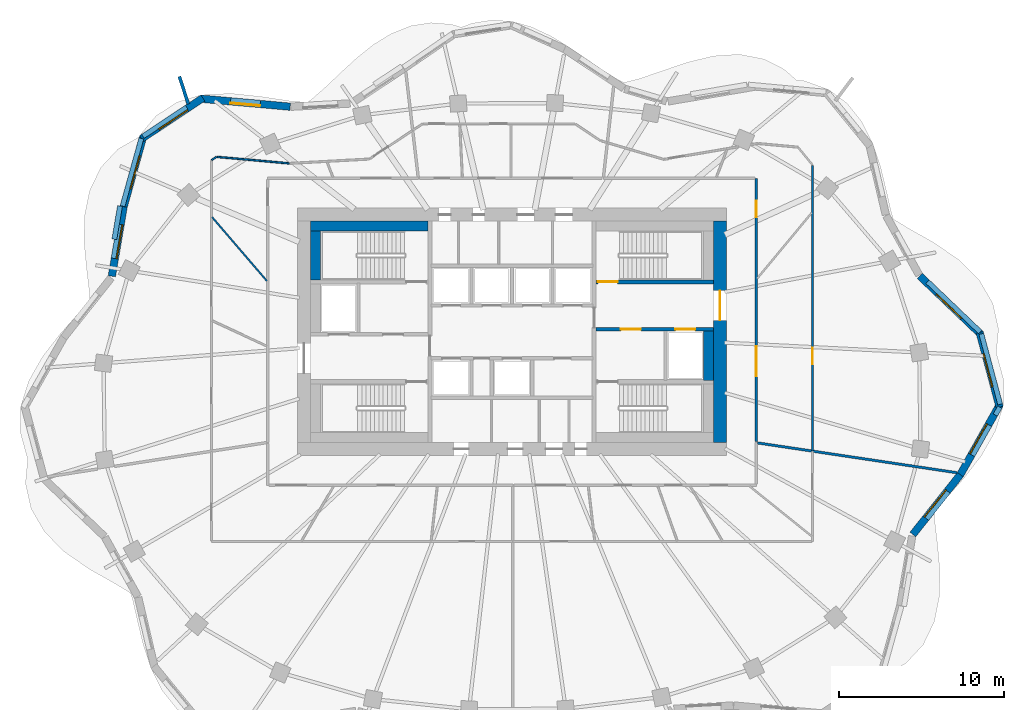
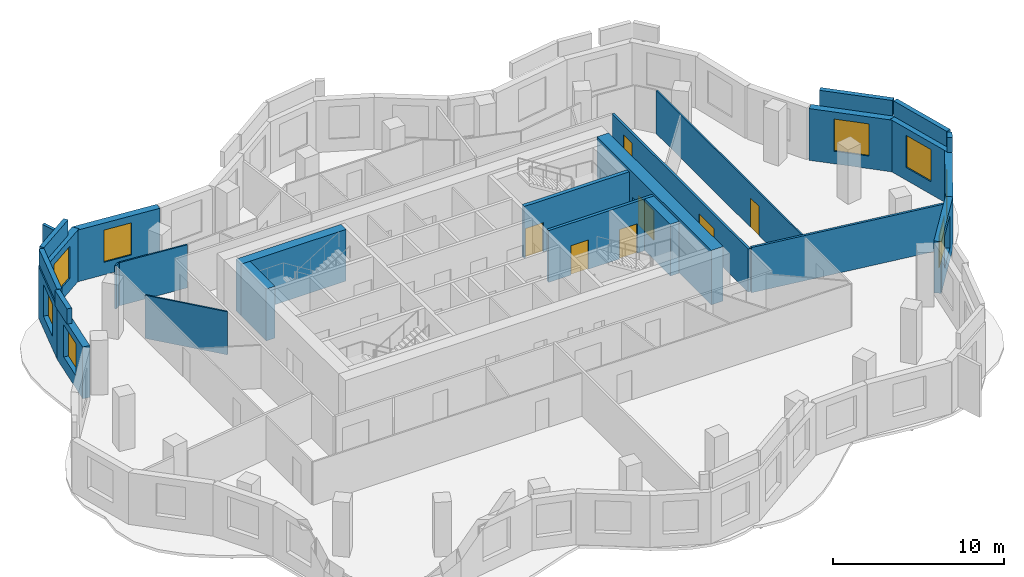
# One storey, part 6 of 9: 27 walls, 8 windows, 7 doors, 15 openings.
"""IFC4 building model written with IfcOpenShell, lengths in metres."""

from ifc_helpers import new_model, si_unit, direction, frame, frame_2d, origin, place, context, subcontext, project, spatial, rectangle, extrude, material, layer, layer_set, type_object, element, fill, save


model = new_model("IFC4")

# Units and contexts
model_context = context("Model", 3, precision=1e-05, world=origin(), true_north=direction((0.0, 1.0)))
body_context = subcontext(model_context, "Body", "Model", "MODEL_VIEW")
ifc_project = project(units=[si_unit("LENGTHUNIT", "METRE"), si_unit("AREAUNIT", "SQUARE_METRE"), si_unit("VOLUMEUNIT", "CUBIC_METRE"), si_unit("PLANEANGLEUNIT", "RADIAN"), si_unit("MASSUNIT", "GRAM", prefix="KILO")], contexts=[model_context])

# Site, building, storey
site_placement = place(None, origin())
site = spatial("IfcSite", under=ifc_project, at=site_placement, CompositionType="ELEMENT")
building_placement = place(site_placement, origin())
building = spatial("IfcBuilding", under=site, at=building_placement, Name="Rubra Terraces Tower", CompositionType="ELEMENT")
storey_placement = place(building_placement, frame((0.0, 0.0, 229.199951171875)))
storey = spatial("IfcBuildingStorey", under=building, at=storey_placement, Name="L56", CompositionType="ELEMENT", Elevation=229.199951171875)

# Wall, opening, window
ifc_material_1 = material(Name="Brick masonry red-brown", Category="masonry")
ifc_layer_1 = layer(ifc_material_1, 0.449951171875)
ifc_layer_set_1 = layer_set([ifc_layer_1], Name="Brick masonry red-brown")
wall_type_1 = type_object("IfcWallType", Name="Brick facade wall 450", PredefinedType="SOLIDWALL", material=ifc_layer_set_1)
wall_1_placement = place(storey_placement, frame((29.539794921875, -0.05810546875, 0.0), z_axis=(0.0, 0.0, 1.0), x_axis=(-0.258581372102, 0.96598947924, 0.0)))
wall_1 = element("IfcWall", 1, at=wall_1_placement, inside=storey, type_object=wall_type_1, Name="Facade wall L56 bay 1", PredefinedType="SOLIDWALL", context=body_context, shape_type="SweptSolid", body=[
    extrude(rectangle(XDim=4.68017578125, YDim=0.449951171875, at=frame_2d((2.340087890625, 0.0))), origin(), (0.0, 0.0, 1.0), 3.699951171875),
])
opening_1_placement = place(wall_1_placement, frame((1.2900390625, 0.0, 0.89990234375)))
opening_1 = element("IfcOpeningElement", 2, at=opening_1_placement, cuts=wall_1, Name="Opening W1B", PredefinedType="OPENING", context=body_context, shape_type="SweptSolid", body=[
    extrude(rectangle(XDim=2.10009765625, YDim=2.300048828125, at=frame_2d((1.050048828125, 1.14990234375))), frame((0.0, 0.23486328125, 0.0), z_axis=(0.0, -1.0, 0.0), x_axis=(1.0, 0.0, 0.0)), (0.0, 0.0, 1.0), 0.469970703125),
])
ifc_material_2 = material(Name="Clear glass in aluminium frame", Category="aluminium")
window_type_1 = type_object("IfcWindowType", Name="Fixed deep-set window tall storey 2100 x 2300", PartitioningType="SINGLE_PANEL", PredefinedType="WINDOW", material=ifc_material_2)
window_1_placement = place(opening_1_placement, origin())
window_1 = element("IfcWindow", 3, at=window_1_placement, inside=storey, type_object=window_type_1, Name="Window L56 bay 1", OverallHeight=2.300048828125, OverallWidth=2.10009765625, PartitioningType="SINGLE_PANEL", PredefinedType="WINDOW", context=body_context, shape_type="SweptSolid", body=[
    extrude(rectangle(XDim=2.10009765625, YDim=2.300048828125, at=frame_2d((1.050048828125, 1.14990234375))), frame((0.0, 0.135009765625, 0.0), z_axis=(0.0, -1.0, 0.0), x_axis=(1.0, 0.0, 0.0)), (0.0, 0.0, 1.0), 0.06005859375),
])
fill(opening_1, window_1)

wall_2_placement = place(storey_placement, frame((28.38720703125, 4.362548828125, 0.0), z_axis=(0.0, 0.0, 1.0), x_axis=(-0.722717697728, 0.691143349379, 0.0)))
wall_2 = element("IfcWall", 4, at=wall_2_placement, inside=storey, type_object=wall_type_1, Name="Facade wall L56 bay 2", PredefinedType="SOLIDWALL", context=body_context, shape_type="SweptSolid", body=[
    extrude(rectangle(XDim=5.103271484375, YDim=0.449951171875, at=frame_2d((2.5517578125, 0.0))), origin(), (0.0, 0.0, 1.0), 3.699951171875),
])
opening_2_placement = place(wall_2_placement, frame((1.501708984375, 0.0, 0.89990234375)))
opening_2 = element("IfcOpeningElement", 5, at=opening_2_placement, cuts=wall_2, Name="Opening W1B", PredefinedType="OPENING", context=body_context, shape_type="SweptSolid", body=[
    extrude(rectangle(XDim=2.10009765625, YDim=2.300048828125, at=frame_2d((1.050048828125, 1.14990234375))), frame((0.0, 0.23486328125, 0.0), z_axis=(0.0, -1.0, 0.0), x_axis=(1.0, 0.0, 0.0)), (0.0, 0.0, 1.0), 0.469970703125),
])
window_2_placement = place(opening_2_placement, origin())
window_2 = element("IfcWindow", 6, at=window_2_placement, inside=storey, type_object=window_type_1, Name="Window L56 bay 2", OverallHeight=2.300048828125, OverallWidth=2.10009765625, PartitioningType="SINGLE_PANEL", PredefinedType="WINDOW", context=body_context, shape_type="SweptSolid", body=[
    extrude(rectangle(XDim=2.10009765625, YDim=2.300048828125, at=frame_2d((1.050048828125, 1.14990234375))), frame((0.0, 0.135009765625, 0.0), z_axis=(0.0, -1.0, 0.0), x_axis=(1.0, 0.0, 0.0)), (0.0, 0.0, 1.0), 0.06005859375),
])
fill(opening_2, window_2)

wall_3_placement = place(storey_placement, frame((-13.435791015625, 18.1376953125, 0.0), z_axis=(0.0, 0.0, 1.0), x_axis=(-0.99598810213, 0.089485755376, 0.0)))
wall_3 = element("IfcWall", 7, at=wall_3_placement, inside=storey, type_object=wall_type_1, Name="Facade wall L56 bay 15", PredefinedType="SOLIDWALL", context=body_context, shape_type="SweptSolid", body=[
    extrude(rectangle(XDim=5.451171875, YDim=0.449951171875, at=frame_2d((2.7255859375, 0.0))), origin(), (0.0, 0.0, 1.0), 3.699951171875),
])
opening_3_placement = place(wall_3_placement, frame((1.825439453125, 0.0, 0.89990234375)))
opening_3 = element("IfcOpeningElement", 8, at=opening_3_placement, cuts=wall_3, Name="Opening W6B", PredefinedType="OPENING", context=body_context, shape_type="SweptSolid", body=[
    extrude(rectangle(XDim=1.800048828125, YDim=2.300048828125, at=frame_2d((0.89990234375, 1.14990234375))), frame((0.0, 0.23486328125, 0.0), z_axis=(0.0, -1.0, 0.0), x_axis=(1.0, 0.0, 0.0)), (0.0, 0.0, 1.0), 0.469970703125),
])
window_type_2 = type_object("IfcWindowType", Name="Fixed deep-set window at wind fin tall storey 1800 x 2300", PartitioningType="SINGLE_PANEL", PredefinedType="WINDOW", material=ifc_material_2)
window_3_placement = place(opening_3_placement, origin())
window_3 = element("IfcWindow", 9, at=window_3_placement, inside=storey, type_object=window_type_2, Name="Window L56 bay 15", OverallHeight=2.300048828125, OverallWidth=1.800048828125, PartitioningType="SINGLE_PANEL", PredefinedType="WINDOW", context=body_context, shape_type="SweptSolid", body=[
    extrude(rectangle(XDim=1.800048828125, YDim=2.300048828125, at=frame_2d((0.89990234375, 1.14990234375))), frame((0.0, 0.135009765625, 0.0), z_axis=(0.0, -1.0, 0.0), x_axis=(1.0, 0.0, 0.0)), (0.0, 0.0, 1.0), 0.06005859375),
])
fill(opening_3, window_3)

wall_4_placement = place(storey_placement, frame((-18.7255859375, 18.66259765625, 0.0), z_axis=(0.0, 0.0, 1.0), x_axis=(-0.83333921474, -0.552761931736, 0.0)))
wall_4 = element("IfcWall", 10, at=wall_4_placement, inside=storey, type_object=wall_type_1, Name="Facade wall L56 bay 16", PredefinedType="SOLIDWALL", context=body_context, shape_type="SweptSolid", body=[
    extrude(rectangle(XDim=4.45068359375, YDim=0.449951171875, at=frame_2d((2.225341796875, 0.0))), origin(), (0.0, 0.0, 1.0), 3.699951171875),
])
opening_4_placement = place(wall_4_placement, frame((1.17529296875, 0.0, 0.89990234375)))
opening_4 = element("IfcOpeningElement", 11, at=opening_4_placement, cuts=wall_4, Name="Opening W1B", PredefinedType="OPENING", context=body_context, shape_type="SweptSolid", body=[
    extrude(rectangle(XDim=2.10009765625, YDim=2.300048828125, at=frame_2d((1.050048828125, 1.14990234375))), frame((0.0, 0.23486328125, 0.0), z_axis=(0.0, -1.0, 0.0), x_axis=(1.0, 0.0, 0.0)), (0.0, 0.0, 1.0), 0.469970703125),
])
window_4_placement = place(opening_4_placement, origin())
window_4 = element("IfcWindow", 12, at=window_4_placement, inside=storey, type_object=window_type_1, Name="Window L56 bay 16", OverallHeight=2.300048828125, OverallWidth=2.10009765625, PartitioningType="SINGLE_PANEL", PredefinedType="WINDOW", context=body_context, shape_type="SweptSolid", body=[
    extrude(rectangle(XDim=2.10009765625, YDim=2.300048828125, at=frame_2d((1.050048828125, 1.14990234375))), frame((0.0, 0.135009765625, 0.0), z_axis=(0.0, -1.0, 0.0), x_axis=(1.0, 0.0, 0.0)), (0.0, 0.0, 1.0), 0.06005859375),
])
fill(opening_4, window_4)

wall_5_placement = place(storey_placement, frame((-22.343505859375, 16.32568359375, 0.0), z_axis=(0.0, 0.0, 1.0), x_axis=(-0.267925456304, -0.963439645159, 0.0)))
wall_5 = element("IfcWall", 13, at=wall_5_placement, inside=storey, type_object=wall_type_1, Name="Facade wall L56 bay 17", PredefinedType="SOLIDWALL", context=body_context, shape_type="SweptSolid", body=[
    extrude(rectangle(XDim=4.4267578125, YDim=0.449951171875, at=frame_2d((2.21337890625, 0.0))), origin(), (0.0, 0.0, 1.0), 3.699951171875),
])
opening_5_placement = place(wall_5_placement, frame((1.16357421875, 0.0, 0.89990234375)))
opening_5 = element("IfcOpeningElement", 14, at=opening_5_placement, cuts=wall_5, Name="Opening W1B", PredefinedType="OPENING", context=body_context, shape_type="SweptSolid", body=[
    extrude(rectangle(XDim=2.10009765625, YDim=2.300048828125, at=frame_2d((1.050048828125, 1.14990234375))), frame((0.0, 0.23486328125, 0.0), z_axis=(0.0, -1.0, 0.0), x_axis=(1.0, 0.0, 0.0)), (0.0, 0.0, 1.0), 0.469970703125),
])
window_5_placement = place(opening_5_placement, origin())
window_5 = element("IfcWindow", 15, at=window_5_placement, inside=storey, type_object=window_type_1, Name="Window L56 bay 17", OverallHeight=2.300048828125, OverallWidth=2.10009765625, PartitioningType="SINGLE_PANEL", PredefinedType="WINDOW", context=body_context, shape_type="SweptSolid", body=[
    extrude(rectangle(XDim=2.10009765625, YDim=2.300048828125, at=frame_2d((1.050048828125, 1.14990234375))), frame((0.0, 0.135009765625, 0.0), z_axis=(0.0, -1.0, 0.0), x_axis=(1.0, 0.0, 0.0)), (0.0, 0.0, 1.0), 0.06005859375),
])
fill(opening_5, window_5)

wall_6_placement = place(storey_placement, frame((-23.524169921875, 12.0830078125, 0.0), z_axis=(0.0, 0.0, 1.0), x_axis=(-0.167445072349, -0.985881406532, 0.0)))
wall_6 = element("IfcWall", 16, at=wall_6_placement, inside=storey, type_object=wall_type_1, Name="Facade wall L56 bay 18", PredefinedType="SOLIDWALL", context=body_context, shape_type="SweptSolid", body=[
    extrude(rectangle(XDim=4.27490234375, YDim=0.449951171875, at=frame_2d((2.137451171875, 0.0))), origin(), (0.0, 0.0, 1.0), 3.699951171875),
])
opening_6_placement = place(wall_6_placement, frame((1.08740234375, 0.0, 0.89990234375)))
opening_6 = element("IfcOpeningElement", 17, at=opening_6_placement, cuts=wall_6, Name="Opening W1B", PredefinedType="OPENING", context=body_context, shape_type="SweptSolid", body=[
    extrude(rectangle(XDim=2.10009765625, YDim=2.300048828125, at=frame_2d((1.050048828125, 1.14990234375))), frame((0.0, 0.23486328125, 0.0), z_axis=(0.0, -1.0, 0.0), x_axis=(1.0, 0.0, 0.0)), (0.0, 0.0, 1.0), 0.469970703125),
])
window_6_placement = place(opening_6_placement, origin())
window_6 = element("IfcWindow", 18, at=window_6_placement, inside=storey, type_object=window_type_1, Name="Window L56 bay 18", OverallHeight=2.300048828125, OverallWidth=2.10009765625, PartitioningType="SINGLE_PANEL", PredefinedType="WINDOW", context=body_context, shape_type="SweptSolid", body=[
    extrude(rectangle(XDim=2.10009765625, YDim=2.300048828125, at=frame_2d((1.050048828125, 1.14990234375))), frame((0.0, 0.135009765625, 0.0), z_axis=(0.0, -1.0, 0.0), x_axis=(1.0, 0.0, 0.0)), (0.0, 0.0, 1.0), 0.06005859375),
])
fill(opening_6, window_6)

wall_7_placement = place(storey_placement, frame((24.2822265625, -7.773681640625, 0.0), z_axis=(0.0, 0.0, 1.0), x_axis=(0.621735490397, 0.783227285008, 0.0)))
wall_7 = element("IfcWall", 19, at=wall_7_placement, inside=storey, type_object=wall_type_1, Name="Facade wall L56 bay 39", PredefinedType="SOLIDWALL", context=body_context, shape_type="SweptSolid", body=[
    extrude(rectangle(XDim=4.62451171875, YDim=0.449951171875, at=frame_2d((2.312255859375, 0.0))), origin(), (0.0, 0.0, 1.0), 3.699951171875),
])
opening_7_placement = place(wall_7_placement, frame((1.26220703125, 0.0, 0.89990234375)))
opening_7 = element("IfcOpeningElement", 20, at=opening_7_placement, cuts=wall_7, Name="Opening W1B", PredefinedType="OPENING", context=body_context, shape_type="SweptSolid", body=[
    extrude(rectangle(XDim=2.10009765625, YDim=2.300048828125, at=frame_2d((1.050048828125, 1.14990234375))), frame((0.0, 0.23486328125, 0.0), z_axis=(0.0, -1.0, 0.0), x_axis=(1.0, 0.0, 0.0)), (0.0, 0.0, 1.0), 0.469970703125),
])
window_7_placement = place(opening_7_placement, origin())
window_7 = element("IfcWindow", 21, at=window_7_placement, inside=storey, type_object=window_type_1, Name="Window L56 bay 39", OverallHeight=2.300048828125, OverallWidth=2.10009765625, PartitioningType="SINGLE_PANEL", PredefinedType="WINDOW", context=body_context, shape_type="SweptSolid", body=[
    extrude(rectangle(XDim=2.10009765625, YDim=2.300048828125, at=frame_2d((1.050048828125, 1.14990234375))), frame((0.0, 0.135009765625, 0.0), z_axis=(0.0, -1.0, 0.0), x_axis=(1.0, 0.0, 0.0)), (0.0, 0.0, 1.0), 0.06005859375),
])
fill(opening_7, window_7)

wall_8_placement = place(storey_placement, frame((27.138427734375, -4.180908203125, 0.0), z_axis=(0.0, 0.0, 1.0), x_axis=(0.491588303761, 0.870827732451, 0.0)))
wall_8 = element("IfcWall", 22, at=wall_8_placement, inside=storey, type_object=wall_type_1, Name="Facade wall L56 bay 40", PredefinedType="SOLIDWALL", context=body_context, shape_type="SweptSolid", body=[
    extrude(rectangle(XDim=4.924072265625, YDim=0.449951171875, at=frame_2d((2.4619140625, 0.0))), origin(), (0.0, 0.0, 1.0), 3.699951171875),
])
opening_8_placement = place(wall_8_placement, frame((1.412109375, 0.0, 0.89990234375)))
opening_8 = element("IfcOpeningElement", 23, at=opening_8_placement, cuts=wall_8, Name="Opening W1B", PredefinedType="OPENING", context=body_context, shape_type="SweptSolid", body=[
    extrude(rectangle(XDim=2.10009765625, YDim=2.300048828125, at=frame_2d((1.050048828125, 1.14990234375))), frame((0.0, 0.23486328125, 0.0), z_axis=(0.0, -1.0, 0.0), x_axis=(1.0, 0.0, 0.0)), (0.0, 0.0, 1.0), 0.469970703125),
])
window_8_placement = place(opening_8_placement, origin())
window_8 = element("IfcWindow", 24, at=window_8_placement, inside=storey, type_object=window_type_1, Name="Window L56 bay 40", OverallHeight=2.300048828125, OverallWidth=2.10009765625, PartitioningType="SINGLE_PANEL", PredefinedType="WINDOW", context=body_context, shape_type="SweptSolid", body=[
    extrude(rectangle(XDim=2.10009765625, YDim=2.300048828125, at=frame_2d((1.050048828125, 1.14990234375))), frame((0.0, 0.135009765625, 0.0), z_axis=(0.0, -1.0, 0.0), x_axis=(1.0, 0.0, 0.0)), (0.0, 0.0, 1.0), 0.06005859375),
])
fill(opening_8, window_8)

# Walls
ifc_layer_2 = layer(ifc_material_1, 0.300048828125)
ifc_layer_set_2 = layer_set([ifc_layer_2], Name="Brick masonry red-brown")
wall_type_2 = type_object("IfcWallType", Name="Brick parapet 300", PredefinedType="PARAPET", material=ifc_layer_set_2)
for number, where, z_axis, x_axis, name in (
    (25, (29.57275390625, 0.1083984375, 3.900146484375), (0.0, 0.0, 1.0), (-0.258523195294, 0.96600505045, 0.0), "Parapet L56 bay 1"),
    (26, (28.36083984375, 4.491455078125, 3.900146484375), (0.0, 0.0, 1.0), (-0.722694709068, 0.691167387457, 0.0), "Parapet L56 bay 2"),
):
    element("IfcWall", number, at=place(storey_placement, frame(where, z_axis=z_axis, x_axis=x_axis)), inside=storey, type_object=wall_type_2, Name=name, PredefinedType="PARAPET", context=body_context, shape_type="SweptSolid", body=[
        extrude(rectangle(XDim=4.4140625, YDim=0.300048828125, at=frame_2d((2.20703125, 0.0))), origin(), (0.0, 0.0, 1.0), 1.099853515625),
    ])
wall_9_placement = place(storey_placement, frame((-19.70751953125, 18.101318359375, 3.900146484375), z_axis=(0.0, 0.0, 1.0), x_axis=(-0.833370664286, -0.552714515738, 0.0)))
element("IfcWall", 27, at=wall_9_placement, inside=storey, type_object=wall_type_2, Name="Parapet L56 bay 16", PredefinedType="PARAPET", context=body_context, shape_type="SweptSolid", body=[
    extrude(rectangle(XDim=3.180419921875, YDim=0.300048828125, at=frame_2d((1.59033203125, 0.0))), origin(), (0.0, 0.0, 1.0), 1.099853515625),
])
wall_10_placement = place(storey_placement, frame((-22.452392578125, 16.213134765625, 3.900146484375), z_axis=(0.0, 0.0, 1.0), x_axis=(-0.267993020858, -0.963420853403, 0.0)))
element("IfcWall", 28, at=wall_10_placement, inside=storey, type_object=wall_type_2, Name="Parapet L56 bay 17", PredefinedType="PARAPET", context=body_context, shape_type="SweptSolid", body=[
    extrude(rectangle(XDim=4.25537109375, YDim=0.300048828125, at=frame_2d((2.127685546875, 0.0))), origin(), (0.0, 0.0, 1.0), 1.099853515625),
])
wall_11_placement = place(storey_placement, frame((-23.7451171875, 12.125, 3.900146484375), z_axis=(0.0, 0.0, 1.0), x_axis=(-0.16743218322, -0.985883595574, 0.0)))
element("IfcWall", 29, at=wall_11_placement, inside=storey, type_object=wall_type_2, Name="Parapet L56 bay 18", PredefinedType="PARAPET", context=body_context, shape_type="SweptSolid", body=[
    extrude(rectangle(XDim=2.048583984375, YDim=0.300048828125, at=frame_2d((1.0244140625, 0.0))), origin(), (0.0, 0.0, 1.0), 1.099853515625),
])
wall_12_placement = place(storey_placement, frame((29.27880859375, -0.541748046875, 3.900146484375), z_axis=(0.0, 0.0, 1.0), x_axis=(0.491912136679, 0.870644847103, 0.0)))
element("IfcWall", 30, at=wall_12_placement, inside=storey, type_object=wall_type_2, Name="Parapet L56 bay 40", PredefinedType="PARAPET", context=body_context, shape_type="SweptSolid", body=[
    extrude(rectangle(XDim=0.554443359375, YDim=0.300048828125, at=frame_2d((0.27734375, 0.0))), origin(), (0.0, 0.0, 1.0), 1.099853515625),
])
ifc_layer_3 = layer(ifc_material_1, 0.199951171875)
ifc_layer_set_3 = layer_set([ifc_layer_3], Name="Brick masonry red-brown")
wall_type_3 = type_object("IfcWallType", Name="Brick wind fin 200", PredefinedType="SOLIDWALL", material=ifc_layer_set_3)
wall_13_placement = place(storey_placement, frame((-19.60888671875, 18.304931640625, 0.0), z_axis=(0.0, 0.0, 1.0), x_axis=(-0.308600224758, 0.951191832008, 0.0)))
element("IfcWall", 31, at=wall_13_placement, inside=storey, type_object=wall_type_3, Name="Wind fin L56 10", PredefinedType="SOLIDWALL", context=body_context, shape_type="SweptSolid", body=[
    extrude(rectangle(XDim=1.75, YDim=0.199951171875, at=frame_2d((0.875, 0.0))), origin(), (0.0, 0.0, 1.0), 3.699951171875),
])

# Wall, opening, door
ifc_material_3 = material(Name="Concrete C50", Category="concrete")
ifc_layer_4 = layer(ifc_material_3, 0.800048828125)
ifc_layer_set_4 = layer_set([ifc_layer_4], Name="Concrete C50")
wall_type_4 = type_object("IfcWallType", Name="CORE WALL 800 C50", PredefinedType="SHEAR", material=ifc_layer_set_4)
wall_14_placement = place(storey_placement, frame((12.60009765625, -2.199951171875, 0.0), z_axis=(0.0, 0.0, 1.0), x_axis=(0.0, 1.0, 0.0)))
wall_14 = element("IfcWall", 32, at=wall_14_placement, inside=storey, type_object=wall_type_4, Name="CORE WALL E L56", PredefinedType="SHEAR", context=body_context, shape_type="SweptSolid", body=[
    extrude(rectangle(XDim=13.39990234375, YDim=0.800048828125, at=frame_2d((6.699951171875, 0.0))), origin(), (0.0, 0.0, 1.0), 3.900146484375),
])
opening_9_placement = place(wall_14_placement, frame((7.39990234375, 0.0, 0.0)))
opening_9 = element("IfcOpeningElement", 33, at=opening_9_placement, cuts=wall_14, Name="Opening L56.C02", PredefinedType="OPENING", context=body_context, shape_type="SweptSolid", body=[
    extrude(rectangle(XDim=1.800048828125, YDim=2.10009765625, at=frame_2d((0.89990234375, 1.050048828125))), frame((0.0, 0.409912109375, 0.0), z_axis=(0.0, -1.0, 0.0), x_axis=(1.0, 0.0, 0.0)), (0.0, 0.0, 1.0), 0.820068359375),
])
ifc_material_4 = material(Name="Painted steel", Category="steel")
door_type_1 = type_object("IfcDoorType", Name="Fire door 1800x2100 double", OperationType="NOTDEFINED", PredefinedType="DOOR", material=ifc_material_4)
door_1_placement = place(opening_9_placement, origin())
door_1 = element("IfcDoor", 34, at=door_1_placement, inside=storey, type_object=door_type_1, Name="Core entrance door FF2", OperationType="DOUBLE_DOOR_SINGLE_SWING", OverallHeight=2.10009765625, OverallWidth=1.800048828125, PredefinedType="DOOR", context=body_context, shape_type="SweptSolid", body=[
    extrude(rectangle(XDim=1.800048828125, YDim=2.10009765625, at=frame_2d((0.89990234375, 1.050048828125))), frame((0.0, 0.02490234375, 0.0), z_axis=(0.0, -1.0, 0.0), x_axis=(1.0, 0.0, 0.0)), (0.0, 0.0, 1.0), 0.050048828125),
])
fill(opening_9, door_1)

# Wall, openings, doors
ifc_material_5 = material(Name="Plasterboard on steel stud, mineral wool infill", Category="steel")
ifc_layer_5 = layer(ifc_material_5, 0.14990234375)
ifc_layer_set_5 = layer_set([ifc_layer_5], Name="Plasterboard on steel stud, mineral wool infill")
wall_type_5 = type_object("IfcWallType", Name="CORRIDOR PARTITION 150", PredefinedType="PARTITIONING", material=ifc_layer_set_5)
wall_15_placement = place(storey_placement, frame((14.800048828125, -2.141845703125, 0.0), z_axis=(0.0, 0.0, 1.0), x_axis=(0.0, 1.0, 0.0)))
wall_15 = element("IfcWall", 35, at=wall_15_placement, inside=storey, type_object=wall_type_5, Name="PARTITION", PredefinedType="PARTITIONING", context=body_context, shape_type="SweptSolid", body=[
    extrude(rectangle(XDim=15.94189453125, YDim=0.14990234375, at=frame_2d((7.970947265625, 0.0))), origin(), (0.0, 0.0, 1.0), 3.083984375),
])
opening_10_placement = place(wall_15_placement, frame((3.967041015625, 0.0, 0.0)))
opening_10 = element("IfcOpeningElement", 36, at=opening_10_placement, cuts=wall_15, Name="Opening 56-116", PredefinedType="OPENING", context=body_context, shape_type="SweptSolid", body=[
    extrude(rectangle(XDim=1.800048828125, YDim=2.10009765625, at=frame_2d((0.89990234375, 1.050048828125))), frame((0.0, 0.0849609375, 0.0), z_axis=(0.0, -1.0, 0.0), x_axis=(1.0, 0.0, 0.0)), (0.0, 0.0, 1.0), 0.169921875),
])
opening_11_placement = place(wall_15_placement, frame((13.597900390625, 0.0, 0.0)))
opening_11 = element("IfcOpeningElement", 37, at=opening_11_placement, cuts=wall_15, Name="Opening 56-118", PredefinedType="OPENING", context=body_context, shape_type="SweptSolid", body=[
    extrude(rectangle(XDim=1.0, YDim=2.39990234375, at=frame_2d((0.5, 1.199951171875))), frame((0.0, 0.0849609375, 0.0), z_axis=(0.0, -1.0, 0.0), x_axis=(1.0, 0.0, 0.0)), (0.0, 0.0, 1.0), 0.169921875),
])
ifc_material_6 = material(Name="Glazed aluminium meeting door leaf", Category="aluminium")
door_type_2 = type_object("IfcDoorType", Name="MEETING ROOM GLAZED DOOR 1000 X 2400", OperationType="SINGLE_SWING_LEFT", PredefinedType="DOOR", material=ifc_material_6)
door_2_placement = place(opening_11_placement, origin())
door_2 = element("IfcDoor", 38, at=door_2_placement, inside=storey, type_object=door_type_2, Name="DOOR 56-118", OperationType="SINGLE_SWING_RIGHT", OverallHeight=2.39990234375, OverallWidth=1.0, PredefinedType="DOOR", context=body_context, shape_type="SweptSolid", body=[
    extrude(rectangle(XDim=1.0, YDim=2.39990234375, at=frame_2d((0.5, 1.199951171875))), frame((0.0, 0.02490234375, 0.0), z_axis=(0.0, -1.0, 0.0), x_axis=(1.0, 0.0, 0.0)), (0.0, 0.0, 1.0), 0.050048828125),
])
fill(opening_11, door_2)
ifc_material_7 = material(Name="Painted timber door leaf, double", Category="wood")
door_type_3 = type_object("IfcDoorType", Name="ROOM DOUBLE DOOR 1800 X 2100", OperationType="DOUBLE_DOOR_SINGLE_SWING", PredefinedType="DOOR", material=ifc_material_7)
door_3_placement = place(opening_10_placement, origin())
door_3 = element("IfcDoor", 39, at=door_3_placement, inside=storey, type_object=door_type_3, Name="DOOR 56-116", OperationType="DOUBLE_DOOR_SINGLE_SWING", OverallHeight=2.10009765625, OverallWidth=1.800048828125, PredefinedType="DOOR", context=body_context, shape_type="SweptSolid", body=[
    extrude(rectangle(XDim=1.800048828125, YDim=2.10009765625, at=frame_2d((0.89990234375, 1.050048828125))), frame((0.0, 0.02490234375, 0.0), z_axis=(0.0, -1.0, 0.0), x_axis=(1.0, 0.0, 0.0)), (0.0, 0.0, 1.0), 0.050048828125),
])
fill(opening_10, door_3)

# Walls
ifc_material_8 = material(Name="Concrete C40", Category="concrete")
ifc_layer_6 = layer(ifc_material_8, 0.60009765625)
ifc_layer_set_6 = layer_set([ifc_layer_6], Name="Concrete C40")
wall_type_6 = type_object("IfcWallType", Name="Core lining wall 600 concrete", PredefinedType="SOLIDWALL", material=ifc_layer_set_6)
wall_16_placement = place(storey_placement, frame((-11.89990234375, 7.64990234375, 0.0), z_axis=(0.0, 0.0, 1.0), x_axis=(0.0, 1.0, 0.0)))
element("IfcWall", 40, at=wall_16_placement, inside=storey, type_object=wall_type_6, Name="CORE LINING WALL L56", PredefinedType="SOLIDWALL", context=body_context, shape_type="SweptSolid", body=[
    extrude(rectangle(XDim=2.9501953125, YDim=0.60009765625, at=frame_2d((1.47509765625, 0.0))), origin(), (0.0, 0.0, 1.0), 3.699951171875),
])
wall_17_placement = place(storey_placement, frame((-12.199951171875, 10.89990234375, 0.0), z_axis=(0.0, 0.0, 1.0), x_axis=(1.0, 0.0, 0.0)))
element("IfcWall", 41, at=wall_17_placement, inside=storey, type_object=wall_type_6, Name="CORE LINING WALL L56", PredefinedType="SOLIDWALL", context=body_context, shape_type="SweptSolid", body=[
    extrude(rectangle(XDim=7.099853515625, YDim=0.60009765625, at=frame_2d((3.5498046875, 0.0))), origin(), (0.0, 0.0, 1.0), 3.699951171875),
])
wall_18_placement = place(storey_placement, frame((11.89990234375, 4.550048828125, 0.0), z_axis=(0.0, 0.0, 1.0), x_axis=(0.0, -1.0, 0.0)))
element("IfcWall", 42, at=wall_18_placement, inside=storey, type_object=wall_type_6, Name="CORE LINING WALL L56", PredefinedType="SOLIDWALL", context=body_context, shape_type="SweptSolid", body=[
    extrude(rectangle(XDim=3.0, YDim=0.60009765625, at=frame_2d((1.5, 0.0))), origin(), (0.0, 0.0, 1.0), 3.699951171875),
])

# Wall, openings, doors
ifc_material_9 = material(Name="Concrete C30", Category="concrete")
ifc_layer_7 = layer(ifc_material_9, 0.199951171875)
ifc_layer_set_7 = layer_set([ifc_layer_7], Name="Concrete C30")
wall_type_7 = type_object("IfcWallType", Name="Core wall 200 concrete", PredefinedType="SOLIDWALL", material=ifc_layer_set_7)
wall_19_placement = place(storey_placement, frame((12.199951171875, 4.64990234375, 0.0), z_axis=(0.0, 0.0, 1.0), x_axis=(-1.0, 0.0, 0.0)))
wall_19 = element("IfcWall", 43, at=wall_19_placement, inside=storey, type_object=wall_type_7, Name="STAIR WALL L56", PredefinedType="SOLIDWALL", context=body_context, shape_type="SweptSolid", body=[
    extrude(rectangle(XDim=7.099853515625, YDim=0.199951171875, at=frame_2d((3.5498046875, 0.0))), origin(), (0.0, 0.0, 1.0), 3.699951171875),
])
opening_12_placement = place(wall_19_placement, frame((4.39990234375, 0.0, 0.0)))
opening_12 = element("IfcOpeningElement", 44, at=opening_12_placement, cuts=wall_19, Name="Opening L56.C06", PredefinedType="OPENING", context=body_context, shape_type="SweptSolid", body=[
    extrude(rectangle(XDim=1.199951171875, YDim=2.10009765625, at=frame_2d((0.60009765625, 1.050048828125))), frame((0.0, 0.10986328125, 0.0), z_axis=(0.0, -1.0, 0.0), x_axis=(1.0, 0.0, 0.0)), (0.0, 0.0, 1.0), 0.219970703125),
])
opening_13_placement = place(wall_19_placement, frame((1.10009765625, 0.0, 0.0)))
opening_13 = element("IfcOpeningElement", 45, at=opening_13_placement, cuts=wall_19, Name="Opening L56.C12", PredefinedType="OPENING", context=body_context, shape_type="SweptSolid", body=[
    extrude(rectangle(XDim=1.199951171875, YDim=2.10009765625, at=frame_2d((0.60009765625, 1.050048828125))), frame((0.0, 0.10986328125, 0.0), z_axis=(0.0, -1.0, 0.0), x_axis=(1.0, 0.0, 0.0)), (0.0, 0.0, 1.0), 0.219970703125),
])
door_type_4 = type_object("IfcDoorType", Name="Fire door 1200x2100 single", OperationType="NOTDEFINED", PredefinedType="DOOR", material=ifc_material_4)
door_4_placement = place(opening_12_placement, origin())
door_4 = element("IfcDoor", 46, at=door_4_placement, inside=storey, type_object=door_type_4, Name="Stair vestibule door S4", OperationType="SINGLE_SWING_RIGHT", OverallHeight=2.10009765625, OverallWidth=1.199951171875, PredefinedType="DOOR", context=body_context, shape_type="SweptSolid", body=[
    extrude(rectangle(XDim=1.199951171875, YDim=2.10009765625, at=frame_2d((0.60009765625, 1.050048828125))), frame((0.0, 0.02490234375, 0.0), z_axis=(0.0, -1.0, 0.0), x_axis=(1.0, 0.0, 0.0)), (0.0, 0.0, 1.0), 0.050048828125),
])
fill(opening_12, door_4)
ifc_material_10 = material(Name="Stainless steel", Category="steel")
door_type_5 = type_object("IfcDoorType", Name="Lift landing door 1200x2100", OperationType="NOTDEFINED", PredefinedType="DOOR", material=ifc_material_10)
door_5_placement = place(opening_13_placement, origin())
door_5 = element("IfcDoor", 47, at=door_5_placement, inside=storey, type_object=door_type_5, Name="Landing door FF2", OperationType="SLIDING_TO_RIGHT", OverallHeight=2.10009765625, OverallWidth=1.199951171875, PredefinedType="DOOR", context=body_context, shape_type="SweptSolid", body=[
    extrude(rectangle(XDim=1.199951171875, YDim=2.10009765625, at=frame_2d((0.60009765625, 1.050048828125))), frame((0.0, 0.02490234375, 0.0), z_axis=(0.0, -1.0, 0.0), x_axis=(1.0, 0.0, 0.0)), (0.0, 0.0, 1.0), 0.050048828125),
])
fill(opening_13, door_5)

# Walls
ifc_material_11 = material(Name="Plasterboard on steel stud", Category="steel")
ifc_layer_8 = layer(ifc_material_11, 0.10009765625)
ifc_layer_set_8 = layer_set([ifc_layer_8], Name="Plasterboard on steel stud")
wall_type_8 = type_object("IfcWallType", Name="ROOM PARTITION 100", PredefinedType="PARTITIONING", material=ifc_layer_set_8)
wall_20_placement = place(storey_placement, frame((-18.199951171875, 14.9013671875, 0.0), z_axis=(0.0, 0.0, 1.0), x_axis=(0.833509335289, 0.552505373717, 0.0)))
element("IfcWall", 48, at=wall_20_placement, inside=storey, type_object=wall_type_8, Name="PARTITION", PredefinedType="PARTITIONING", context=body_context, shape_type="SweptSolid", body=[
    extrude(rectangle(XDim=0.359619140625, YDim=0.10009765625, at=frame_2d((0.1796875, 0.0))), origin(), (0.0, 0.0, 1.0), 3.083984375),
])
wall_21_placement = place(storey_placement, frame((-17.850341796875, 15.095703125, 0.0), z_axis=(0.0, 0.0, 1.0), x_axis=(0.99598766082, -0.089490667074, 0.0)))
element("IfcWall", 49, at=wall_21_placement, inside=storey, type_object=wall_type_8, Name="PARTITION", PredefinedType="PARTITIONING", context=body_context, shape_type="SweptSolid", body=[
    extrude(rectangle(XDim=4.38134765625, YDim=0.10009765625, at=frame_2d((2.190673828125, 0.0))), origin(), (0.0, 0.0, 1.0), 3.083984375),
])
wall_22_placement = place(storey_placement, frame((-14.848876953125, 7.584228515625, 0.0), z_axis=(0.0, 0.0, 1.0), x_axis=(-0.65160818205, 0.758555717852, 0.0)))
element("IfcWall", 50, at=wall_22_placement, inside=storey, type_object=wall_type_8, Name="PARTITION", PredefinedType="PARTITIONING", context=body_context, shape_type="SweptSolid", body=[
    extrude(rectangle(XDim=5.093017578125, YDim=0.10009765625, at=frame_2d((2.54638671875, 0.0))), origin(), (0.0, 0.0, 1.0), 3.083984375),
])

# Wall, opening, door
wall_23_placement = place(storey_placement, frame((18.199951171875, 14.562255859375, 0.0), z_axis=(0.0, 0.0, 1.0), x_axis=(0.0, -1.0, 0.0)))
wall_23 = element("IfcWall", 51, at=wall_23_placement, inside=storey, type_object=wall_type_8, Name="PARTITION", PredefinedType="PARTITIONING", context=body_context, shape_type="SweptSolid", body=[
    extrude(rectangle(XDim=17.267333984375, YDim=0.10009765625, at=frame_2d((8.6337890625, 0.0))), origin(), (0.0, 0.0, 1.0), 3.083984375),
])
opening_14_placement = place(wall_23_placement, frame((11.02392578125, 0.0, 0.0)))
opening_14 = element("IfcOpeningElement", 52, at=opening_14_placement, cuts=wall_23, Name="Opening 56-117", PredefinedType="OPENING", context=body_context, shape_type="SweptSolid", body=[
    extrude(rectangle(XDim=1.0, YDim=2.10009765625, at=frame_2d((0.5, 1.050048828125))), frame((0.0, 0.06005859375, 0.0), z_axis=(0.0, -1.0, 0.0), x_axis=(1.0, 0.0, 0.0)), (0.0, 0.0, 1.0), 0.1201171875),
])
ifc_material_12 = material(Name="Painted timber door leaf", Category="wood")
door_type_6 = type_object("IfcDoorType", Name="ROOM DOOR 1000 X 2100", OperationType="SINGLE_SWING_LEFT", PredefinedType="DOOR", material=ifc_material_12)
door_6_placement = place(opening_14_placement, origin())
door_6 = element("IfcDoor", 53, at=door_6_placement, inside=storey, type_object=door_type_6, Name="DOOR 56-117", OperationType="SINGLE_SWING_LEFT", OverallHeight=2.10009765625, OverallWidth=1.0, PredefinedType="DOOR", context=body_context, shape_type="SweptSolid", body=[
    extrude(rectangle(XDim=1.0, YDim=2.10009765625, at=frame_2d((0.5, 1.050048828125))), frame((0.0, 0.02490234375, 0.0), z_axis=(0.0, -1.0, 0.0), x_axis=(1.0, 0.0, 0.0)), (0.0, 0.0, 1.0), 0.050048828125),
])
fill(opening_14, door_6)

# Wall
ifc_layer_9 = layer(ifc_material_11, 0.14990234375)
ifc_layer_set_9 = layer_set([ifc_layer_9], Name="Plasterboard on steel stud")
wall_type_9 = type_object("IfcWallType", Name="ROOM PARTITION 150", PredefinedType="PARTITIONING", material=ifc_layer_set_9)
wall_24_placement = place(storey_placement, frame((26.957275390625, -4.03564453125, 0.0), z_axis=(0.0, 0.0, 1.0), x_axis=(-0.988991396253, 0.147973031788, 0.0)))
element("IfcWall", 54, at=wall_24_placement, inside=storey, type_object=wall_type_9, Name="PARTITION", PredefinedType="PARTITIONING", context=body_context, shape_type="SweptSolid", body=[
    extrude(rectangle(XDim=12.217529296875, YDim=0.14990234375, at=frame_2d((6.10888671875, 0.0))), origin(), (0.0, 0.0, 1.0), 3.234130859375),
])

# Wall, opening, door
ifc_layer_10 = layer(ifc_material_8, 0.25)
ifc_layer_set_10 = layer_set([ifc_layer_10], Name="Concrete C40")
wall_type_10 = type_object("IfcWallType", Name="Stair enclosure wall 250 concrete", PredefinedType="SOLIDWALL", material=ifc_layer_set_10)
wall_25_placement = place(storey_placement, frame((12.199951171875, 7.52490234375, 0.0), z_axis=(0.0, 0.0, 1.0), x_axis=(-1.0, 0.0, 0.0)))
wall_25 = element("IfcWall", 55, at=wall_25_placement, inside=storey, type_object=wall_type_10, Name="STAIR WALL L56", PredefinedType="SOLIDWALL", context=body_context, shape_type="SweptSolid", body=[
    extrude(rectangle(XDim=7.099853515625, YDim=0.25, at=frame_2d((3.5498046875, 0.0))), origin(), (0.0, 0.0, 1.0), 3.699951171875),
])
opening_15_placement = place(wall_25_placement, frame((5.800048828125, 0.0, 0.0)))
opening_15 = element("IfcOpeningElement", 56, at=opening_15_placement, cuts=wall_25, Name="Opening L56.C08", PredefinedType="OPENING", context=body_context, shape_type="SweptSolid", body=[
    extrude(rectangle(XDim=1.199951171875, YDim=2.10009765625, at=frame_2d((0.60009765625, 1.050048828125))), frame((0.0, 0.135009765625, 0.0), z_axis=(0.0, -1.0, 0.0), x_axis=(1.0, 0.0, 0.0)), (0.0, 0.0, 1.0), 0.27001953125),
])
door_7_placement = place(opening_15_placement, origin())
door_7 = element("IfcDoor", 57, at=door_7_placement, inside=storey, type_object=door_type_4, Name="Stair door S3", OperationType="SINGLE_SWING_RIGHT", OverallHeight=2.10009765625, OverallWidth=1.199951171875, PredefinedType="DOOR", context=body_context, shape_type="SweptSolid", body=[
    extrude(rectangle(XDim=1.199951171875, YDim=2.10009765625, at=frame_2d((0.60009765625, 1.050048828125))), frame((0.0, 0.02490234375, 0.0), z_axis=(0.0, -1.0, 0.0), x_axis=(1.0, 0.0, 0.0)), (0.0, 0.0, 1.0), 0.050048828125),
])
fill(opening_15, door_7)

save(model, "model.ifc")
